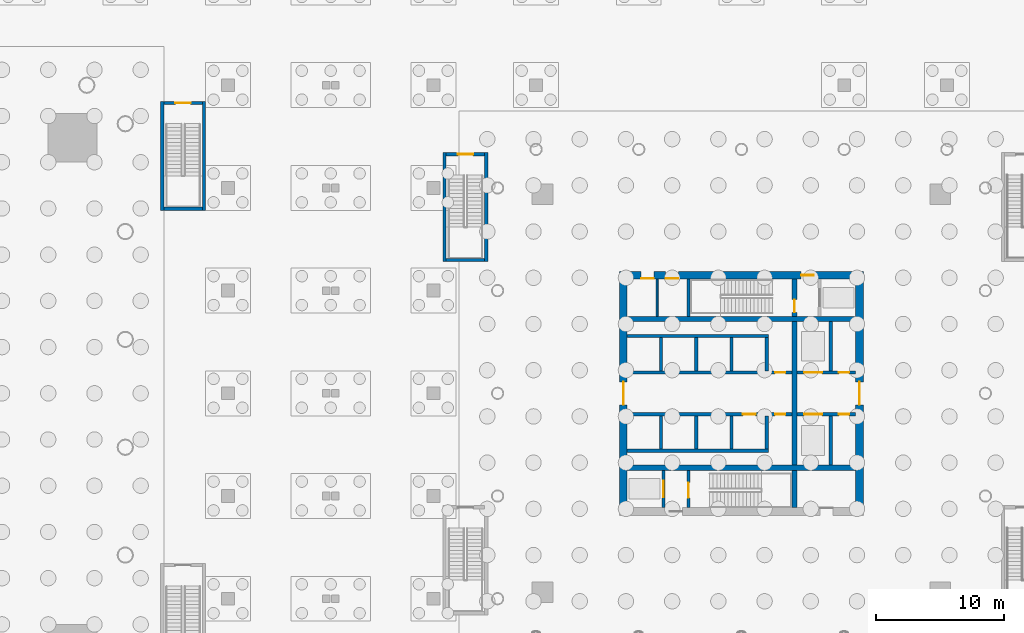
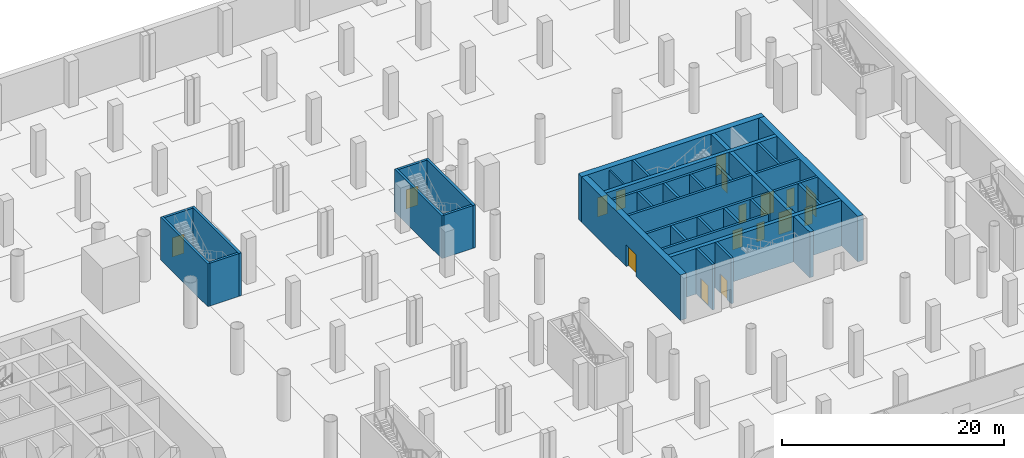
# One storey, part 15 of 24: 36 walls, 17 doors, 17 openings.
"""IFC4 building model written with IfcOpenShell, lengths in metres."""

from ifc_helpers import new_model, si_unit, direction, frame, frame_2d, origin, place, context, subcontext, project, spatial, rectangle, extrude, material, layer, layer_set, type_object, element, fill, save


model = new_model("IFC4")

# Units and contexts
model_context = context("Model", 3, precision=1e-05, world=origin(), true_north=direction((0.0, 1.0)))
body_context = subcontext(model_context, "Body", "Model", "MODEL_VIEW")
ifc_project = project(units=[si_unit("LENGTHUNIT", "METRE"), si_unit("AREAUNIT", "SQUARE_METRE"), si_unit("VOLUMEUNIT", "CUBIC_METRE"), si_unit("PLANEANGLEUNIT", "RADIAN"), si_unit("MASSUNIT", "GRAM", prefix="KILO")], contexts=[model_context])

# Site, building, storey
site_placement = place(None, origin())
site = spatial("IfcSite", under=ifc_project, at=site_placement, CompositionType="ELEMENT")
building_placement = place(site_placement, origin())
building = spatial("IfcBuilding", under=site, at=building_placement, Name="Ostroluk Exchange", CompositionType="ELEMENT")
storey_placement = place(building_placement, frame((0.0, 0.0, -10.0)))
storey = spatial("IfcBuildingStorey", under=building, at=storey_placement, Name="B2", CompositionType="ELEMENT", Elevation=-10.0)

# Walls
ifc_material_1 = material(Name="Concrete blockwork", Category="masonry")
ifc_layer_1 = layer(ifc_material_1, 0.14990234375)
ifc_layer_set_1 = layer_set([ifc_layer_1], Name="Blockwork plant room wall 150")
wall_type_1 = type_object("IfcWallType", Name="Blockwork plant room wall 150", PredefinedType="SOLIDWALL", material=ifc_layer_set_1)
wall_1_placement = place(storey_placement, frame((110.425048828125, 52.0, 0.0), z_axis=(0.0, 0.0, 1.0), x_axis=(0.0, 1.0, 0.0)))
element("IfcWall", 1, at=wall_1_placement, inside=storey, type_object=wall_type_1, Name="Core room wall", PredefinedType="SOLIDWALL", context=body_context, shape_type="SweptSolid", body=[
    extrude(rectangle(XDim=2.89990234375, YDim=0.14990234375, at=frame_2d((1.449951171875, 0.0))), origin(), (0.0, 0.0, 1.0), 4.699951171875),
])
ifc_material_2 = material(Name="Concrete blockwork", Category="masonry")
ifc_layer_2 = layer(ifc_material_2, 0.25)
ifc_layer_set_2 = layer_set([ifc_layer_2], Name="Blockwork stair enclosure wall 250")
wall_type_2 = type_object("IfcWallType", Name="Blockwork stair enclosure wall 250", PredefinedType="SOLIDWALL", material=ifc_layer_set_2)
for number, where, z_axis, x_axis, name in (
    (2, (71.875, 60.25, 0.0), (0.0, 0.0, 1.0), (0.0, 1.0, 0.0), "Stair PS4 enclosure wall"),
    (3, (75.125, 60.25, 0.0), (0.0, 0.0, 1.0), (0.0, 1.0, 0.0), "Stair PS4 enclosure wall"),
):
    element("IfcWall", number, at=place(storey_placement, frame(where, z_axis=z_axis, x_axis=x_axis)), inside=storey, type_object=wall_type_2, Name=name, PredefinedType="SOLIDWALL", context=body_context, shape_type="SweptSolid", body=[
        extrude(rectangle(XDim=8.5, YDim=0.25, at=frame_2d((4.25, 0.0))), origin(), (0.0, 0.0, 1.0), 4.699951171875),
    ])
wall_2_placement = place(storey_placement, frame((72.0, 60.375, 0.0), z_axis=(0.0, 0.0, 1.0), x_axis=(1.0, 0.0, 0.0)))
element("IfcWall", 4, at=wall_2_placement, inside=storey, type_object=wall_type_2, Name="Stair PS4 enclosure wall", PredefinedType="SOLIDWALL", context=body_context, shape_type="SweptSolid", body=[
    extrude(rectangle(XDim=3.0, YDim=0.25, at=frame_2d((1.5, 0.0))), origin(), (0.0, 0.0, 1.0), 4.699951171875),
])

# Wall, opening, door
wall_3_placement = place(storey_placement, frame((72.0, 68.625, 0.0), z_axis=(0.0, 0.0, 1.0), x_axis=(1.0, 0.0, 0.0)))
wall_3 = element("IfcWall", 5, at=wall_3_placement, inside=storey, type_object=wall_type_2, Name="Stair PS4 enclosure wall", PredefinedType="SOLIDWALL", context=body_context, shape_type="SweptSolid", body=[
    extrude(rectangle(XDim=3.0, YDim=0.25, at=frame_2d((1.5, 0.0))), origin(), (0.0, 0.0, 1.0), 4.699951171875),
])
opening_1_placement = place(wall_3_placement, frame((0.89990234375, 0.0, 0.0)))
opening_1 = element("IfcOpeningElement", 6, at=opening_1_placement, cuts=wall_3, Name="Opening FD60S", PredefinedType="OPENING", context=body_context, shape_type="SweptSolid", body=[
    extrude(rectangle(XDim=1.199951171875, YDim=2.10009765625, at=frame_2d((0.60009765625, 1.050048828125))), frame((0.0, 0.135009765625, 0.0), z_axis=(0.0, -1.0, 0.0), x_axis=(1.0, 0.0, 0.0)), (0.0, 0.0, 1.0), 0.27001953125),
])
ifc_material_3 = material(Name="Steel", Category="steel")
door_type_1 = type_object("IfcDoorType", Name="Stair door EI 60 1200 x 2100", OperationType="SINGLE_SWING_LEFT", PredefinedType="DOOR", material=ifc_material_3)
door_1_placement = place(opening_1_placement, origin())
door_1 = element("IfcDoor", 7, at=door_1_placement, inside=storey, type_object=door_type_1, Name="Stair PS4 door", OperationType="SINGLE_SWING_LEFT", OverallHeight=2.10009765625, OverallWidth=1.199951171875, PredefinedType="DOOR", context=body_context, shape_type="SweptSolid", body=[
    extrude(rectangle(XDim=1.199951171875, YDim=2.10009765625, at=frame_2d((0.60009765625, 1.050048828125))), frame((0.0, 0.02490234375, 0.0), z_axis=(0.0, -1.0, 0.0), x_axis=(1.0, 0.0, 0.0)), (0.0, 0.0, 1.0), 0.050048828125),
])
fill(opening_1, door_1)

# Walls
for number, where, z_axis, x_axis, name in (
    (8, (93.875, 56.25, 0.0), (0.0, 0.0, 1.0), (0.0, 1.0, 0.0), "Stair PS6 enclosure wall"),
    (9, (97.125, 56.25, 0.0), (0.0, 0.0, 1.0), (0.0, 1.0, 0.0), "Stair PS6 enclosure wall"),
):
    element("IfcWall", number, at=place(storey_placement, frame(where, z_axis=z_axis, x_axis=x_axis)), inside=storey, type_object=wall_type_2, Name=name, PredefinedType="SOLIDWALL", context=body_context, shape_type="SweptSolid", body=[
        extrude(rectangle(XDim=8.5, YDim=0.25, at=frame_2d((4.25, 0.0))), origin(), (0.0, 0.0, 1.0), 4.699951171875),
    ])
wall_4_placement = place(storey_placement, frame((94.0, 56.375, 0.0), z_axis=(0.0, 0.0, 1.0), x_axis=(1.0, 0.0, 0.0)))
element("IfcWall", 10, at=wall_4_placement, inside=storey, type_object=wall_type_2, Name="Stair PS6 enclosure wall", PredefinedType="SOLIDWALL", context=body_context, shape_type="SweptSolid", body=[
    extrude(rectangle(XDim=3.0, YDim=0.25, at=frame_2d((1.5, 0.0))), origin(), (0.0, 0.0, 1.0), 4.699951171875),
])

# Wall, opening, door
wall_5_placement = place(storey_placement, frame((94.0, 64.625, 0.0), z_axis=(0.0, 0.0, 1.0), x_axis=(1.0, 0.0, 0.0)))
wall_5 = element("IfcWall", 11, at=wall_5_placement, inside=storey, type_object=wall_type_2, Name="Stair PS6 enclosure wall", PredefinedType="SOLIDWALL", context=body_context, shape_type="SweptSolid", body=[
    extrude(rectangle(XDim=3.0, YDim=0.25, at=frame_2d((1.5, 0.0))), origin(), (0.0, 0.0, 1.0), 4.699951171875),
])
opening_2_placement = place(wall_5_placement, frame((0.89990234375, 0.0, 0.0)))
opening_2 = element("IfcOpeningElement", 12, at=opening_2_placement, cuts=wall_5, Name="Opening FD60S", PredefinedType="OPENING", context=body_context, shape_type="SweptSolid", body=[
    extrude(rectangle(XDim=1.199951171875, YDim=2.10009765625, at=frame_2d((0.60009765625, 1.050048828125))), frame((0.0, 0.135009765625, 0.0), z_axis=(0.0, -1.0, 0.0), x_axis=(1.0, 0.0, 0.0)), (0.0, 0.0, 1.0), 0.27001953125),
])
door_2_placement = place(opening_2_placement, origin())
door_2 = element("IfcDoor", 13, at=door_2_placement, inside=storey, type_object=door_type_1, Name="Stair PS6 door", OperationType="SINGLE_SWING_LEFT", OverallHeight=2.10009765625, OverallWidth=1.199951171875, PredefinedType="DOOR", context=body_context, shape_type="SweptSolid", body=[
    extrude(rectangle(XDim=1.199951171875, YDim=2.10009765625, at=frame_2d((0.60009765625, 1.050048828125))), frame((0.0, 0.02490234375, 0.0), z_axis=(0.0, -1.0, 0.0), x_axis=(1.0, 0.0, 0.0)), (0.0, 0.0, 1.0), 0.050048828125),
])
fill(opening_2, door_2)

# Walls
ifc_material_4 = material(Name="Concrete C50/60", Category="concrete")
ifc_layer_3 = layer(ifc_material_4, 0.39990234375)
ifc_layer_set_3 = layer_set([ifc_layer_3], Name="Core cross wall 400 C50/60")
wall_type_3 = type_object("IfcWallType", Name="Core cross wall 400 C50/60", PredefinedType="SHEAR", material=ifc_layer_set_3)
for number, where, z_axis, x_axis, name in (
    (14, (108.10009765625, 40.199951171875, 0.0), (0.0, 0.0, 1.0), (1.0, 0.0, 0.0), "T2 core wall XS"),
    (15, (108.10009765625, 51.800048828125, 0.0), (0.0, 0.0, 1.0), (1.0, 0.0, 0.0), "T2 core wall XN"),
):
    element("IfcWall", number, at=place(storey_placement, frame(where, z_axis=z_axis, x_axis=x_axis)), inside=storey, type_object=wall_type_3, Name=name, PredefinedType="SHEAR", context=body_context, shape_type="SweptSolid", body=[
        extrude(rectangle(XDim=17.7998046875, YDim=0.39990234375, at=frame_2d((8.89990234375, 0.0))), origin(), (0.0, 0.0, 1.0), 5.0),
    ])
wall_6_placement = place(storey_placement, frame((121.1298828125, 37.10009765625, 0.0), z_axis=(0.0, 0.0, 1.0), x_axis=(0.0, 1.0, 0.0)))
element("IfcWall", 16, at=wall_6_placement, inside=storey, type_object=wall_type_3, Name="T2 core wall YE1", PredefinedType="SHEAR", context=body_context, shape_type="SweptSolid", body=[
    extrude(rectangle(XDim=2.89990234375, YDim=0.39990234375, at=frame_2d((1.449951171875, 0.0))), origin(), (0.0, 0.0, 1.0), 5.0),
])
wall_7_placement = place(storey_placement, frame((121.1298828125, 40.39990234375, 0.0), z_axis=(0.0, 0.0, 1.0), x_axis=(0.0, 1.0, 0.0)))
element("IfcWall", 17, at=wall_7_placement, inside=storey, type_object=wall_type_3, Name="T2 core wall YE2", PredefinedType="SHEAR", context=body_context, shape_type="SweptSolid", body=[
    extrude(rectangle(XDim=11.2001953125, YDim=0.39990234375, at=frame_2d((5.60009765625, 0.0))), origin(), (0.0, 0.0, 1.0), 5.0),
])

# Wall, opening, door
wall_8_placement = place(storey_placement, frame((121.1298828125, 52.0, 0.0), z_axis=(0.0, 0.0, 1.0), x_axis=(0.0, 1.0, 0.0)))
wall_8 = element("IfcWall", 18, at=wall_8_placement, inside=storey, type_object=wall_type_3, Name="T2 core wall YE3", PredefinedType="SHEAR", context=body_context, shape_type="SweptSolid", body=[
    extrude(rectangle(XDim=2.89990234375, YDim=0.39990234375, at=frame_2d((1.449951171875, 0.0))), origin(), (0.0, 0.0, 1.0), 5.0),
])
opening_3_placement = place(wall_8_placement, frame((0.300048828125, 0.0, 0.0)))
opening_3 = element("IfcOpeningElement", 19, at=opening_3_placement, cuts=wall_8, Name="Opening FD60", PredefinedType="OPENING", context=body_context, shape_type="SweptSolid", body=[
    extrude(rectangle(XDim=1.0, YDim=2.10009765625, at=frame_2d((0.5, 1.050048828125))), frame((0.0, 0.2099609375, 0.0), z_axis=(0.0, -1.0, 0.0), x_axis=(1.0, 0.0, 0.0)), (0.0, 0.0, 1.0), 0.419921875),
])
ifc_material_5 = material(Name="Steel", Category="steel")
door_type_2 = type_object("IfcDoorType", Name="Fire door EI 60 1000 x 2100", OperationType="SINGLE_SWING_LEFT", PredefinedType="DOOR", material=ifc_material_5)
door_3_placement = place(opening_3_placement, origin())
door_3 = element("IfcDoor", 20, at=door_3_placement, inside=storey, type_object=door_type_2, Name="Stair T2-S2 door", OperationType="SINGLE_SWING_LEFT", OverallHeight=2.10009765625, OverallWidth=1.0, PredefinedType="DOOR", context=body_context, shape_type="SweptSolid", body=[
    extrude(rectangle(XDim=1.0, YDim=2.10009765625, at=frame_2d((0.5, 1.050048828125))), frame((0.0, 0.02490234375, 0.0), z_axis=(0.0, -1.0, 0.0), x_axis=(1.0, 0.0, 0.0)), (0.0, 0.0, 1.0), 0.050048828125),
])
fill(opening_3, door_3)

ifc_material_6 = material(Name="Concrete C40/50", Category="concrete")
ifc_layer_4 = layer(ifc_material_6, 0.25)
ifc_layer_set_4 = layer_set([ifc_layer_4], Name="Core shaft wall 250")
wall_type_4 = type_object("IfcWallType", Name="Core shaft wall 250", PredefinedType="SHEAR", material=ifc_layer_set_4)
wall_9_placement = place(storey_placement, frame((110.925048828125, 37.10009765625, 0.0), z_axis=(0.0, 0.0, 1.0), x_axis=(0.0, 1.0, 0.0)))
wall_9 = element("IfcWall", 21, at=wall_9_placement, inside=storey, type_object=wall_type_4, Name="Firefighting lift shaft wall", PredefinedType="SHEAR", context=body_context, shape_type="SweptSolid", body=[
    extrude(rectangle(XDim=2.89990234375, YDim=0.25, at=frame_2d((1.449951171875, 0.0))), origin(), (0.0, 0.0, 1.0), 5.0),
])
opening_4_placement = place(wall_9_placement, frame((0.800048828125, 0.0, 0.0)))
opening_4 = element("IfcOpeningElement", 22, at=opening_4_placement, cuts=wall_9, Name="Opening LD2", PredefinedType="OPENING", context=body_context, shape_type="SweptSolid", body=[
    extrude(rectangle(XDim=1.300048828125, YDim=2.199951171875, at=frame_2d((0.64990234375, 1.10009765625))), frame((0.0, 0.135009765625, 0.0), z_axis=(0.0, -1.0, 0.0), x_axis=(1.0, 0.0, 0.0)), (0.0, 0.0, 1.0), 0.27001953125),
])
ifc_material_7 = material(Name="Stainless steel", Category="steel")
door_type_3 = type_object("IfcDoorType", Name="Lift landing door E 60 1300 x 2200", OperationType="DOUBLE_DOOR_SLIDING", PredefinedType="DOOR", material=ifc_material_7)
door_4_placement = place(opening_4_placement, origin())
door_4 = element("IfcDoor", 23, at=door_4_placement, inside=storey, type_object=door_type_3, Name="Lift HF1 landing door", OperationType="DOUBLE_DOOR_SLIDING", OverallHeight=2.199951171875, OverallWidth=1.300048828125, PredefinedType="DOOR", context=body_context, shape_type="SweptSolid", body=[
    extrude(rectangle(XDim=1.300048828125, YDim=2.199951171875, at=frame_2d((0.64990234375, 1.10009765625))), frame((0.0, 0.02490234375, 0.0), z_axis=(0.0, -1.0, 0.0), x_axis=(1.0, 0.0, 0.0)), (0.0, 0.0, 1.0), 0.050048828125),
])
fill(opening_4, door_4)

wall_10_placement = place(storey_placement, frame((112.875, 37.10009765625, 0.0), z_axis=(0.0, 0.0, 1.0), x_axis=(0.0, 1.0, 0.0)))
wall_10 = element("IfcWall", 24, at=wall_10_placement, inside=storey, type_object=wall_type_4, Name="Stair shaft wall", PredefinedType="SHEAR", context=body_context, shape_type="SweptSolid", body=[
    extrude(rectangle(XDim=2.89990234375, YDim=0.25, at=frame_2d((1.449951171875, 0.0))), origin(), (0.0, 0.0, 1.0), 5.0),
])
opening_5_placement = place(wall_10_placement, frame((0.75, 0.0, 0.0)))
opening_5 = element("IfcOpeningElement", 25, at=opening_5_placement, cuts=wall_10, Name="Opening FD60S", PredefinedType="OPENING", context=body_context, shape_type="SweptSolid", body=[
    extrude(rectangle(XDim=1.199951171875, YDim=2.10009765625, at=frame_2d((0.60009765625, 1.050048828125))), frame((0.0, 0.135009765625, 0.0), z_axis=(0.0, -1.0, 0.0), x_axis=(1.0, 0.0, 0.0)), (0.0, 0.0, 1.0), 0.27001953125),
])
door_5_placement = place(opening_5_placement, origin())
door_5 = element("IfcDoor", 26, at=door_5_placement, inside=storey, type_object=door_type_1, Name="Stair T2-S1 door", OperationType="SINGLE_SWING_LEFT", OverallHeight=2.10009765625, OverallWidth=1.199951171875, PredefinedType="DOOR", context=body_context, shape_type="SweptSolid", body=[
    extrude(rectangle(XDim=1.199951171875, YDim=2.10009765625, at=frame_2d((0.60009765625, 1.050048828125))), frame((0.0, 0.02490234375, 0.0), z_axis=(0.0, -1.0, 0.0), x_axis=(1.0, 0.0, 0.0)), (0.0, 0.0, 1.0), 0.050048828125),
])
fill(opening_5, door_5)

# Walls
wall_11_placement = place(storey_placement, frame((112.875, 52.0, 0.0), z_axis=(0.0, 0.0, 1.0), x_axis=(0.0, 1.0, 0.0)))
element("IfcWall", 27, at=wall_11_placement, inside=storey, type_object=wall_type_4, Name="Stair shaft wall", PredefinedType="SHEAR", context=body_context, shape_type="SweptSolid", body=[
    extrude(rectangle(XDim=2.89990234375, YDim=0.25, at=frame_2d((1.449951171875, 0.0))), origin(), (0.0, 0.0, 1.0), 5.0),
])
for number, where, z_axis, x_axis, name in (
    (28, (110.72509765625, 47.75, 0.0), (0.0, 0.0, 1.0), (0.0, 1.0, 0.0), "Lift shaft wall"),
    (29, (113.47509765625, 47.75, 0.0), (0.0, 0.0, 1.0), (0.0, 1.0, 0.0), "Lift shaft wall"),
    (30, (116.22509765625, 47.75, 0.0), (0.0, 0.0, 1.0), (0.0, 1.0, 0.0), "Lift shaft wall"),
    (31, (118.97509765625, 47.75, 0.0), (0.0, 0.0, 1.0), (0.0, 1.0, 0.0), "Lift shaft wall"),
):
    element("IfcWall", number, at=place(storey_placement, frame(where, z_axis=z_axis, x_axis=x_axis)), inside=storey, type_object=wall_type_4, Name=name, PredefinedType="SHEAR", context=body_context, shape_type="SweptSolid", body=[
        extrude(rectangle(XDim=2.60009765625, YDim=0.25, at=frame_2d((1.300048828125, 0.0))), origin(), (0.0, 0.0, 1.0), 5.0),
    ])
wall_12_placement = place(storey_placement, frame((108.10009765625, 50.47509765625, 0.0), z_axis=(0.0, 0.0, 1.0), x_axis=(1.0, 0.0, 0.0)))
element("IfcWall", 32, at=wall_12_placement, inside=storey, type_object=wall_type_4, Name="Lift shaft wall", PredefinedType="SHEAR", context=body_context, shape_type="SweptSolid", body=[
    extrude(rectangle(XDim=11.0, YDim=0.25, at=frame_2d((5.5, 0.0))), origin(), (0.0, 0.0, 1.0), 5.0),
])

# Wall, opening, door
wall_13_placement = place(storey_placement, frame((108.10009765625, 47.625, 0.0), z_axis=(0.0, 0.0, 1.0), x_axis=(1.0, 0.0, 0.0)))
wall_13 = element("IfcWall", 33, at=wall_13_placement, inside=storey, type_object=wall_type_4, Name="Lift shaft front wall", PredefinedType="SHEAR", context=body_context, shape_type="SweptSolid", body=[
    extrude(rectangle(XDim=12.829833984375, YDim=0.25, at=frame_2d((6.4150390625, 0.0))), origin(), (0.0, 0.0, 1.0), 5.0),
])
opening_6_placement = place(wall_13_placement, frame((11.514892578125, 0.0, 0.0)))
opening_6 = element("IfcOpeningElement", 34, at=opening_6_placement, cuts=wall_13, Name="Opening RD60", PredefinedType="OPENING", context=body_context, shape_type="SweptSolid", body=[
    extrude(rectangle(XDim=0.800048828125, YDim=2.0, at=frame_2d((0.39990234375, 1.0))), frame((0.0, 0.135009765625, 0.0), z_axis=(0.0, -1.0, 0.0), x_axis=(1.0, 0.0, 0.0)), (0.0, 0.0, 1.0), 0.27001953125),
])
ifc_material_8 = material(Name="Steel", Category="steel")
door_type_4 = type_object("IfcDoorType", Name="Riser access door EI 60 800 x 2000", OperationType="SINGLE_SWING_LEFT", PredefinedType="DOOR", material=ifc_material_8)
door_6_placement = place(opening_6_placement, origin())
door_6 = element("IfcDoor", 35, at=door_6_placement, inside=storey, type_object=door_type_4, Name="Riser access door", OperationType="SINGLE_SWING_RIGHT", OverallHeight=2.0, OverallWidth=0.800048828125, PredefinedType="DOOR", context=body_context, shape_type="SweptSolid", body=[
    extrude(rectangle(XDim=0.800048828125, YDim=2.0, at=frame_2d((0.39990234375, 1.0))), frame((0.0, 0.02490234375, 0.0), z_axis=(0.0, -1.0, 0.0), x_axis=(1.0, 0.0, 0.0)), (0.0, 0.0, 1.0), 0.050048828125),
])
fill(opening_6, door_6)

# Walls
for number, where, z_axis, x_axis, name in (
    (36, (110.72509765625, 44.25, 0.0), (0.0, 0.0, 1.0), (0.0, -1.0, 0.0), "Lift shaft wall"),
    (37, (113.47509765625, 44.25, 0.0), (0.0, 0.0, 1.0), (0.0, -1.0, 0.0), "Lift shaft wall"),
    (38, (116.22509765625, 44.25, 0.0), (0.0, 0.0, 1.0), (0.0, -1.0, 0.0), "Lift shaft wall"),
    (39, (118.97509765625, 44.25, 0.0), (0.0, 0.0, 1.0), (0.0, -1.0, 0.0), "Lift shaft wall"),
):
    element("IfcWall", number, at=place(storey_placement, frame(where, z_axis=z_axis, x_axis=x_axis)), inside=storey, type_object=wall_type_4, Name=name, PredefinedType="SHEAR", context=body_context, shape_type="SweptSolid", body=[
        extrude(rectangle(XDim=2.60009765625, YDim=0.25, at=frame_2d((1.300048828125, 0.0))), origin(), (0.0, 0.0, 1.0), 5.0),
    ])
wall_14_placement = place(storey_placement, frame((108.10009765625, 41.52490234375, 0.0), z_axis=(0.0, 0.0, 1.0), x_axis=(1.0, 0.0, 0.0)))
element("IfcWall", 40, at=wall_14_placement, inside=storey, type_object=wall_type_4, Name="Lift shaft wall", PredefinedType="SHEAR", context=body_context, shape_type="SweptSolid", body=[
    extrude(rectangle(XDim=11.0, YDim=0.25, at=frame_2d((5.5, 0.0))), origin(), (0.0, 0.0, 1.0), 5.0),
])

# Wall, openings, doors
wall_15_placement = place(storey_placement, frame((108.10009765625, 44.375, 0.0), z_axis=(0.0, 0.0, 1.0), x_axis=(1.0, 0.0, 0.0)))
wall_15 = element("IfcWall", 41, at=wall_15_placement, inside=storey, type_object=wall_type_4, Name="Lift shaft front wall", PredefinedType="SHEAR", context=body_context, shape_type="SweptSolid", body=[
    extrude(rectangle(XDim=12.829833984375, YDim=0.25, at=frame_2d((6.4150390625, 0.0))), origin(), (0.0, 0.0, 1.0), 5.0),
])
opening_7_placement = place(wall_15_placement, frame((9.0, 0.0, 0.0)))
opening_7 = element("IfcOpeningElement", 42, at=opening_7_placement, cuts=wall_15, Name="Opening FD60", PredefinedType="OPENING", context=body_context, shape_type="SweptSolid", body=[
    extrude(rectangle(XDim=1.0, YDim=2.10009765625, at=frame_2d((0.5, 1.050048828125))), frame((0.0, 0.135009765625, 0.0), z_axis=(0.0, -1.0, 0.0), x_axis=(1.0, 0.0, 0.0)), (0.0, 0.0, 1.0), 0.27001953125),
])
opening_8_placement = place(wall_15_placement, frame((11.514892578125, 0.0, 0.0)))
opening_8 = element("IfcOpeningElement", 43, at=opening_8_placement, cuts=wall_15, Name="Opening RD60", PredefinedType="OPENING", context=body_context, shape_type="SweptSolid", body=[
    extrude(rectangle(XDim=0.800048828125, YDim=2.0, at=frame_2d((0.39990234375, 1.0))), frame((0.0, 0.135009765625, 0.0), z_axis=(0.0, -1.0, 0.0), x_axis=(1.0, 0.0, 0.0)), (0.0, 0.0, 1.0), 0.27001953125),
])
door_7_placement = place(opening_7_placement, origin())
door_7 = element("IfcDoor", 44, at=door_7_placement, inside=storey, type_object=door_type_2, Name="Core room door", OperationType="SINGLE_SWING_RIGHT", OverallHeight=2.10009765625, OverallWidth=1.0, PredefinedType="DOOR", context=body_context, shape_type="SweptSolid", body=[
    extrude(rectangle(XDim=1.0, YDim=2.10009765625, at=frame_2d((0.5, 1.050048828125))), frame((0.0, 0.02490234375, 0.0), z_axis=(0.0, -1.0, 0.0), x_axis=(1.0, 0.0, 0.0)), (0.0, 0.0, 1.0), 0.050048828125),
])
fill(opening_7, door_7)
door_8_placement = place(opening_8_placement, origin())
door_8 = element("IfcDoor", 45, at=door_8_placement, inside=storey, type_object=door_type_4, Name="Riser access door", OperationType="SINGLE_SWING_RIGHT", OverallHeight=2.0, OverallWidth=0.800048828125, PredefinedType="DOOR", context=body_context, shape_type="SweptSolid", body=[
    extrude(rectangle(XDim=0.800048828125, YDim=2.0, at=frame_2d((0.39990234375, 1.0))), frame((0.0, 0.02490234375, 0.0), z_axis=(0.0, -1.0, 0.0), x_axis=(1.0, 0.0, 0.0)), (0.0, 0.0, 1.0), 0.050048828125),
])
fill(opening_8, door_8)

# Wall
wall_16_placement = place(storey_placement, frame((123.955078125, 47.75, 0.0), z_axis=(0.0, 0.0, 1.0), x_axis=(0.0, 1.0, 0.0)))
element("IfcWall", 46, at=wall_16_placement, inside=storey, type_object=wall_type_4, Name="Lift shaft wall", PredefinedType="SHEAR", context=body_context, shape_type="SweptSolid", body=[
    extrude(rectangle(XDim=3.85009765625, YDim=0.25, at=frame_2d((1.925048828125, 0.0))), origin(), (0.0, 0.0, 1.0), 5.0),
])

# Wall, openings, doors
wall_17_placement = place(storey_placement, frame((121.330078125, 47.625, 0.0), z_axis=(0.0, 0.0, 1.0), x_axis=(1.0, 0.0, 0.0)))
wall_17 = element("IfcWall", 47, at=wall_17_placement, inside=storey, type_object=wall_type_4, Name="Lift shaft front wall", PredefinedType="SHEAR", context=body_context, shape_type="SweptSolid", body=[
    extrude(rectangle(XDim=4.56982421875, YDim=0.25, at=frame_2d((2.284912109375, 0.0))), origin(), (0.0, 0.0, 1.0), 5.0),
])
opening_9_placement = place(wall_17_placement, frame((0.550048828125, 0.0, 0.0)))
opening_9 = element("IfcOpeningElement", 48, at=opening_9_placement, cuts=wall_17, Name="Opening LD3", PredefinedType="OPENING", context=body_context, shape_type="SweptSolid", body=[
    extrude(rectangle(XDim=1.39990234375, YDim=2.39990234375, at=frame_2d((0.699951171875, 1.199951171875))), frame((0.0, 0.135009765625, 0.0), z_axis=(0.0, -1.0, 0.0), x_axis=(1.0, 0.0, 0.0)), (0.0, 0.0, 1.0), 0.27001953125),
])
opening_10_placement = place(wall_17_placement, frame((3.260009765625, 0.0, 0.0)))
opening_10 = element("IfcOpeningElement", 49, at=opening_10_placement, cuts=wall_17, Name="Opening RD60", PredefinedType="OPENING", context=body_context, shape_type="SweptSolid", body=[
    extrude(rectangle(XDim=0.800048828125, YDim=2.0, at=frame_2d((0.39990234375, 1.0))), frame((0.0, 0.135009765625, 0.0), z_axis=(0.0, -1.0, 0.0), x_axis=(1.0, 0.0, 0.0)), (0.0, 0.0, 1.0), 0.27001953125),
])
ifc_material_9 = material(Name="Stainless steel", Category="steel")
door_type_5 = type_object("IfcDoorType", Name="Goods lift landing door E 60 1400 x 2400", OperationType="DOUBLE_DOOR_SLIDING", PredefinedType="DOOR", material=ifc_material_9)
door_9_placement = place(opening_9_placement, origin())
door_9 = element("IfcDoor", 50, at=door_9_placement, inside=storey, type_object=door_type_5, Name="Lift HS1 landing door", OperationType="DOUBLE_DOOR_SLIDING", OverallHeight=2.39990234375, OverallWidth=1.39990234375, PredefinedType="DOOR", context=body_context, shape_type="SweptSolid", body=[
    extrude(rectangle(XDim=1.39990234375, YDim=2.39990234375, at=frame_2d((0.699951171875, 1.199951171875))), frame((0.0, 0.02490234375, 0.0), z_axis=(0.0, -1.0, 0.0), x_axis=(1.0, 0.0, 0.0)), (0.0, 0.0, 1.0), 0.050048828125),
])
fill(opening_9, door_9)
door_10_placement = place(opening_10_placement, origin())
door_10 = element("IfcDoor", 51, at=door_10_placement, inside=storey, type_object=door_type_4, Name="Riser access door", OperationType="SINGLE_SWING_RIGHT", OverallHeight=2.0, OverallWidth=0.800048828125, PredefinedType="DOOR", context=body_context, shape_type="SweptSolid", body=[
    extrude(rectangle(XDim=0.800048828125, YDim=2.0, at=frame_2d((0.39990234375, 1.0))), frame((0.0, 0.02490234375, 0.0), z_axis=(0.0, -1.0, 0.0), x_axis=(1.0, 0.0, 0.0)), (0.0, 0.0, 1.0), 0.050048828125),
])
fill(opening_10, door_10)

# Wall
wall_18_placement = place(storey_placement, frame((123.955078125, 44.25, 0.0), z_axis=(0.0, 0.0, 1.0), x_axis=(0.0, -1.0, 0.0)))
element("IfcWall", 52, at=wall_18_placement, inside=storey, type_object=wall_type_4, Name="Lift shaft wall", PredefinedType="SHEAR", context=body_context, shape_type="SweptSolid", body=[
    extrude(rectangle(XDim=3.85009765625, YDim=0.25, at=frame_2d((1.925048828125, 0.0))), origin(), (0.0, 0.0, 1.0), 5.0),
])

# Wall, openings, doors
wall_19_placement = place(storey_placement, frame((121.330078125, 44.375, 0.0), z_axis=(0.0, 0.0, 1.0), x_axis=(1.0, 0.0, 0.0)))
wall_19 = element("IfcWall", 53, at=wall_19_placement, inside=storey, type_object=wall_type_4, Name="Lift shaft front wall", PredefinedType="SHEAR", context=body_context, shape_type="SweptSolid", body=[
    extrude(rectangle(XDim=4.56982421875, YDim=0.25, at=frame_2d((2.284912109375, 0.0))), origin(), (0.0, 0.0, 1.0), 5.0),
])
opening_11_placement = place(wall_19_placement, frame((0.550048828125, 0.0, 0.0)))
opening_11 = element("IfcOpeningElement", 54, at=opening_11_placement, cuts=wall_19, Name="Opening LD3", PredefinedType="OPENING", context=body_context, shape_type="SweptSolid", body=[
    extrude(rectangle(XDim=1.39990234375, YDim=2.39990234375, at=frame_2d((0.699951171875, 1.199951171875))), frame((0.0, 0.135009765625, 0.0), z_axis=(0.0, -1.0, 0.0), x_axis=(1.0, 0.0, 0.0)), (0.0, 0.0, 1.0), 0.27001953125),
])
opening_12_placement = place(wall_19_placement, frame((3.260009765625, 0.0, 0.0)))
opening_12 = element("IfcOpeningElement", 55, at=opening_12_placement, cuts=wall_19, Name="Opening RD60", PredefinedType="OPENING", context=body_context, shape_type="SweptSolid", body=[
    extrude(rectangle(XDim=0.800048828125, YDim=2.0, at=frame_2d((0.39990234375, 1.0))), frame((0.0, 0.135009765625, 0.0), z_axis=(0.0, -1.0, 0.0), x_axis=(1.0, 0.0, 0.0)), (0.0, 0.0, 1.0), 0.27001953125),
])
door_11_placement = place(opening_11_placement, origin())
door_11 = element("IfcDoor", 56, at=door_11_placement, inside=storey, type_object=door_type_5, Name="Lift HS2 landing door", OperationType="DOUBLE_DOOR_SLIDING", OverallHeight=2.39990234375, OverallWidth=1.39990234375, PredefinedType="DOOR", context=body_context, shape_type="SweptSolid", body=[
    extrude(rectangle(XDim=1.39990234375, YDim=2.39990234375, at=frame_2d((0.699951171875, 1.199951171875))), frame((0.0, 0.02490234375, 0.0), z_axis=(0.0, -1.0, 0.0), x_axis=(1.0, 0.0, 0.0)), (0.0, 0.0, 1.0), 0.050048828125),
])
fill(opening_11, door_11)
door_12_placement = place(opening_12_placement, origin())
door_12 = element("IfcDoor", 57, at=door_12_placement, inside=storey, type_object=door_type_4, Name="Riser access door", OperationType="SINGLE_SWING_RIGHT", OverallHeight=2.0, OverallWidth=0.800048828125, PredefinedType="DOOR", context=body_context, shape_type="SweptSolid", body=[
    extrude(rectangle(XDim=0.800048828125, YDim=2.0, at=frame_2d((0.39990234375, 1.0))), frame((0.0, 0.02490234375, 0.0), z_axis=(0.0, -1.0, 0.0), x_axis=(1.0, 0.0, 0.0)), (0.0, 0.0, 1.0), 0.050048828125),
])
fill(opening_12, door_12)

ifc_material_10 = material(Name="Concrete C50/60", Category="concrete")
ifc_layer_5 = layer(ifc_material_10, 0.60009765625)
ifc_layer_set_5 = layer_set([ifc_layer_5], Name="Core wall 600 C50/60")
wall_type_5 = type_object("IfcWallType", Name="Core wall 600 C50/60", PredefinedType="SHEAR", material=ifc_layer_set_5)
wall_20_placement = place(storey_placement, frame((107.5, 55.199951171875, 0.0), z_axis=(0.0, 0.0, 1.0), x_axis=(1.0, 0.0, 0.0)))
wall_20 = element("IfcWall", 58, at=wall_20_placement, inside=storey, type_object=wall_type_5, Name="T2 core wall N", PredefinedType="SHEAR", context=body_context, shape_type="SweptSolid", body=[
    extrude(rectangle(XDim=19.0, YDim=0.60009765625, at=frame_2d((9.5, 0.0))), origin(), (0.0, 0.0, 1.0), 5.0),
])
opening_13_placement = place(wall_20_placement, frame((14.139892578125, 0.0, 0.0)))
opening_13 = element("IfcOpeningElement", 59, at=opening_13_placement, cuts=wall_20, Name="Opening FD60", PredefinedType="OPENING", context=body_context, shape_type="SweptSolid", body=[
    extrude(rectangle(XDim=1.0, YDim=2.10009765625, at=frame_2d((0.5, 1.050048828125))), frame((0.0, 0.31005859375, 0.0), z_axis=(0.0, -1.0, 0.0), x_axis=(1.0, 0.0, 0.0)), (0.0, 0.0, 1.0), 0.6201171875),
])
opening_14_placement = place(wall_20_placement, frame((1.675048828125, 0.0, 0.0)))
opening_14 = element("IfcOpeningElement", 60, at=opening_14_placement, cuts=wall_20, Name="Opening FD60", PredefinedType="OPENING", context=body_context, shape_type="SweptSolid", body=[
    extrude(rectangle(XDim=1.0, YDim=2.10009765625, at=frame_2d((0.5, 1.050048828125))), frame((0.0, 0.31005859375, 0.0), z_axis=(0.0, -1.0, 0.0), x_axis=(1.0, 0.0, 0.0)), (0.0, 0.0, 1.0), 0.6201171875),
])
opening_15_placement = place(wall_20_placement, frame((3.58740234375, 0.0, 0.0)))
opening_15 = element("IfcOpeningElement", 61, at=opening_15_placement, cuts=wall_20, Name="Opening FD60", PredefinedType="OPENING", context=body_context, shape_type="SweptSolid", body=[
    extrude(rectangle(XDim=1.0, YDim=2.10009765625, at=frame_2d((0.5, 1.050048828125))), frame((0.0, 0.31005859375, 0.0), z_axis=(0.0, -1.0, 0.0), x_axis=(1.0, 0.0, 0.0)), (0.0, 0.0, 1.0), 0.6201171875),
])
door_13_placement = place(opening_13_placement, origin())
door_13 = element("IfcDoor", 62, at=door_13_placement, inside=storey, type_object=door_type_2, Name="Firefighting lobby door", OperationType="SINGLE_SWING_RIGHT", OverallHeight=2.10009765625, OverallWidth=1.0, PredefinedType="DOOR", context=body_context, shape_type="SweptSolid", body=[
    extrude(rectangle(XDim=1.0, YDim=2.10009765625, at=frame_2d((0.5, 1.050048828125))), frame((0.0, 0.02490234375, 0.0), z_axis=(0.0, -1.0, 0.0), x_axis=(1.0, 0.0, 0.0)), (0.0, 0.0, 1.0), 0.050048828125),
])
fill(opening_13, door_13)
door_14_placement = place(opening_14_placement, origin())
door_14 = element("IfcDoor", 63, at=door_14_placement, inside=storey, type_object=door_type_2, Name="Waste store door", OperationType="SINGLE_SWING_LEFT", OverallHeight=2.10009765625, OverallWidth=1.0, PredefinedType="DOOR", context=body_context, shape_type="SweptSolid", body=[
    extrude(rectangle(XDim=1.0, YDim=2.10009765625, at=frame_2d((0.5, 1.050048828125))), frame((0.0, -0.23974609375, 0.0), z_axis=(0.0, -1.0, 0.0), x_axis=(1.0, 0.0, 0.0)), (0.0, 0.0, 1.0), 0.050048828125),
])
fill(opening_14, door_14)
door_15_placement = place(opening_15_placement, origin())
door_15 = element("IfcDoor", 64, at=door_15_placement, inside=storey, type_object=door_type_2, Name="Security equipment store door", OperationType="SINGLE_SWING_LEFT", OverallHeight=2.10009765625, OverallWidth=1.0, PredefinedType="DOOR", context=body_context, shape_type="SweptSolid", body=[
    extrude(rectangle(XDim=1.0, YDim=2.10009765625, at=frame_2d((0.5, 1.050048828125))), frame((0.0, -0.23974609375, 0.0), z_axis=(0.0, -1.0, 0.0), x_axis=(1.0, 0.0, 0.0)), (0.0, 0.0, 1.0), 0.050048828125),
])
fill(opening_15, door_15)

# Wall, opening, door
wall_21_placement = place(storey_placement, frame((107.800048828125, 37.10009765625, 0.0), z_axis=(0.0, 0.0, 1.0), x_axis=(0.0, 1.0, 0.0)))
wall_21 = element("IfcWall", 65, at=wall_21_placement, inside=storey, type_object=wall_type_5, Name="T2 core wall W", PredefinedType="SHEAR", context=body_context, shape_type="SweptSolid", body=[
    extrude(rectangle(XDim=17.7998046875, YDim=0.60009765625, at=frame_2d((8.89990234375, 0.0))), origin(), (0.0, 0.0, 1.0), 5.0),
])
opening_16_placement = place(wall_21_placement, frame((8.0, 0.0, 0.0)))
opening_16 = element("IfcOpeningElement", 66, at=opening_16_placement, cuts=wall_21, Name="Opening FD30D", PredefinedType="OPENING", context=body_context, shape_type="SweptSolid", body=[
    extrude(rectangle(XDim=1.800048828125, YDim=2.39990234375, at=frame_2d((0.89990234375, 1.199951171875))), frame((0.0, 0.31005859375, 0.0), z_axis=(0.0, -1.0, 0.0), x_axis=(1.0, 0.0, 0.0)), (0.0, 0.0, 1.0), 0.6201171875),
])
ifc_material_11 = material(Name="Timber", Category="wood")
door_type_6 = type_object("IfcDoorType", Name="Lobby double door EI 30 1800 x 2400", OperationType="DOUBLE_DOOR_SINGLE_SWING", PredefinedType="DOOR", material=ifc_material_11)
door_16_placement = place(opening_16_placement, origin())
door_16 = element("IfcDoor", 67, at=door_16_placement, inside=storey, type_object=door_type_6, Name="Lift lobby doors", OperationType="DOUBLE_DOOR_SINGLE_SWING", OverallHeight=2.39990234375, OverallWidth=1.800048828125, PredefinedType="DOOR", context=body_context, shape_type="SweptSolid", body=[
    extrude(rectangle(XDim=1.800048828125, YDim=2.39990234375, at=frame_2d((0.89990234375, 1.199951171875))), frame((0.0, 0.02490234375, 0.0), z_axis=(0.0, -1.0, 0.0), x_axis=(1.0, 0.0, 0.0)), (0.0, 0.0, 1.0), 0.050048828125),
])
fill(opening_16, door_16)

wall_22_placement = place(storey_placement, frame((126.199951171875, 37.10009765625, 0.0), z_axis=(0.0, 0.0, 1.0), x_axis=(0.0, 1.0, 0.0)))
wall_22 = element("IfcWall", 68, at=wall_22_placement, inside=storey, type_object=wall_type_5, Name="T2 core wall E", PredefinedType="SHEAR", context=body_context, shape_type="SweptSolid", body=[
    extrude(rectangle(XDim=17.7998046875, YDim=0.60009765625, at=frame_2d((8.89990234375, 0.0))), origin(), (0.0, 0.0, 1.0), 5.0),
])
opening_17_placement = place(wall_22_placement, frame((8.0, 0.0, 0.0)))
opening_17 = element("IfcOpeningElement", 69, at=opening_17_placement, cuts=wall_22, Name="Opening FD30D", PredefinedType="OPENING", context=body_context, shape_type="SweptSolid", body=[
    extrude(rectangle(XDim=1.800048828125, YDim=2.39990234375, at=frame_2d((0.89990234375, 1.199951171875))), frame((0.0, 0.31005859375, 0.0), z_axis=(0.0, -1.0, 0.0), x_axis=(1.0, 0.0, 0.0)), (0.0, 0.0, 1.0), 0.6201171875),
])
door_17_placement = place(opening_17_placement, origin())
door_17 = element("IfcDoor", 70, at=door_17_placement, inside=storey, type_object=door_type_6, Name="Lift lobby doors", OperationType="DOUBLE_DOOR_SINGLE_SWING", OverallHeight=2.39990234375, OverallWidth=1.800048828125, PredefinedType="DOOR", context=body_context, shape_type="SweptSolid", body=[
    extrude(rectangle(XDim=1.800048828125, YDim=2.39990234375, at=frame_2d((0.89990234375, 1.199951171875))), frame((0.0, 0.02490234375, 0.0), z_axis=(0.0, -1.0, 0.0), x_axis=(1.0, 0.0, 0.0)), (0.0, 0.0, 1.0), 0.050048828125),
])
fill(opening_17, door_17)

save(model, "model.ifc")
